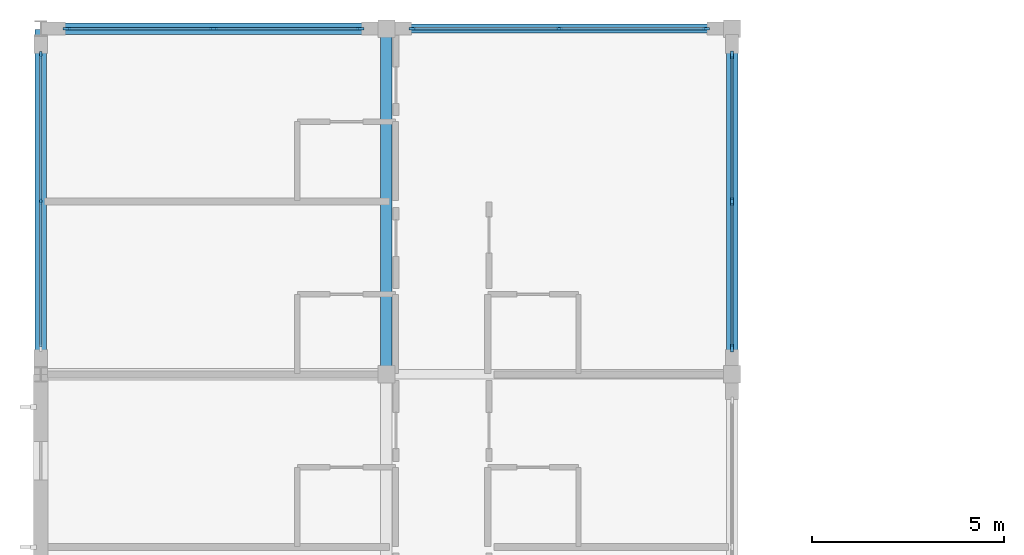
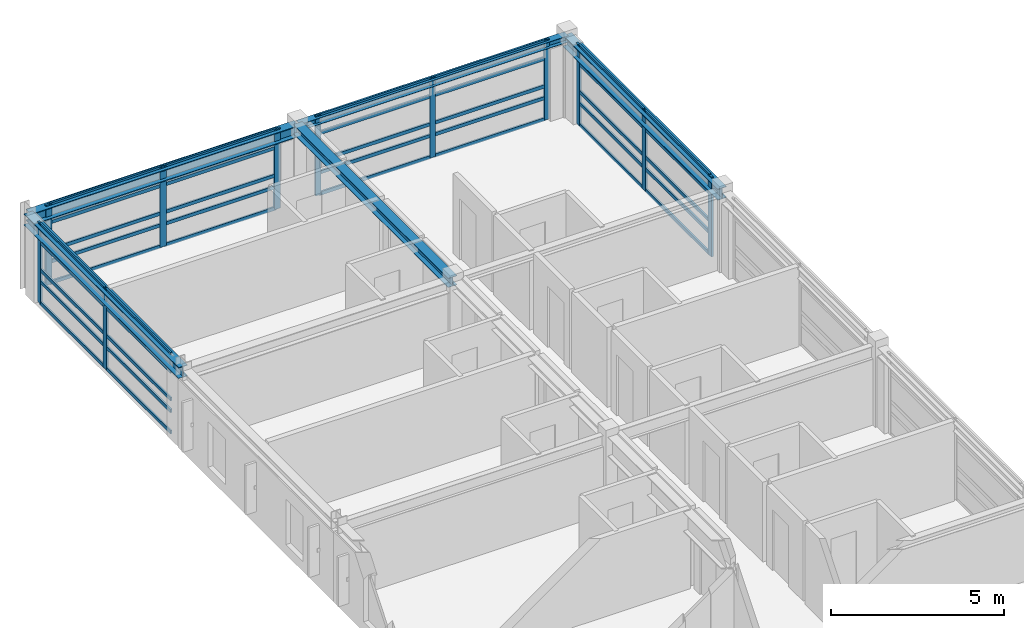
# One storey, part 7 of 24: 51 members, 5 beams, 4 elements without a shape of their own.
"""IFC4 building model written with IfcOpenShell, lengths in metres."""

from ifc_helpers import new_model, si_unit, direction, frame, origin, origin_2d, place, context, subcontext, project, spatial, rectangle, i_section, extrude, material, material_profile, profile_set, type_object, element, aggregate, save


model = new_model("IFC4")

# Units and contexts
model_context = context("Model", 3, precision=1e-05, world=origin(), true_north=direction((0.0, 1.0)))
body_context = subcontext(model_context, "Body", "Model", "MODEL_VIEW")
ifc_project = project(units=[si_unit("LENGTHUNIT", "METRE"), si_unit("AREAUNIT", "SQUARE_METRE"), si_unit("VOLUMEUNIT", "CUBIC_METRE"), si_unit("PLANEANGLEUNIT", "RADIAN"), si_unit("MASSUNIT", "GRAM", prefix="KILO")], contexts=[model_context])

# Site, building, storey
site_placement = place(None, origin())
site = spatial("IfcSite", under=ifc_project, at=site_placement, CompositionType="ELEMENT")
building_placement = place(site_placement, origin())
building = spatial("IfcBuilding", under=site, at=building_placement, Name="Palais des Congres Ocreval", CompositionType="ELEMENT")
storey_placement = place(building_placement, frame((0.0, 0.0, 17.60009765625)))
storey = spatial("IfcBuildingStorey", under=building, at=storey_placement, Name="L05", CompositionType="ELEMENT", Elevation=17.60009765625)

# Curtain wall, members
ifc_material_1 = material(Name="Anodized bronze aluminium and low-E glass", Category="glass")
curtain_wall_type = type_object("IfcCurtainWallType", Name="Unitised Curtain Wall 7900x2820", PredefinedType="USERDEFINED", material=ifc_material_1)
curtain_wall_1_placement = place(storey_placement, origin())
curtain_wall_1 = element("IfcCurtainWall", 1, at=curtain_wall_1_placement, inside=storey, type_object=curtain_wall_type, Name="Unitised Curtain Wall CW04 L05", ObjectType="UNITISED CURTAIN WALL", PredefinedType="USERDEFINED")
ifc_material_2 = material(Name="Anodized bronze aluminium", Category="aluminium")
ifc_material_profile_1 = material_profile(ifc_material_2, rectangle(XDim=0.06494140625, YDim=0.179931640625, at=origin_2d()), Name="ALU 65x180")
ifc_profile_set_1 = profile_set([ifc_material_profile_1], Name="Anodized bronze aluminium")
member_type_1 = type_object("IfcMemberType", Name="Curtain Wall Mullion ALU 65x180", PredefinedType="MULLION", material=ifc_profile_set_1)
member_1_placement = place(storey_placement, frame((0.0, 67.5, 0.0), z_axis=(0.0, 0.0, 1.0), x_axis=(-1.0, 0.0, 0.0)))
member_1 = element("IfcMember", 2, at=member_1_placement, type_object=member_type_1, Name="Curtain Wall Mullion ML03", PredefinedType="MULLION", context=body_context, shape_type="SweptSolid", body=[
    extrude(rectangle(XDim=0.06494140625, YDim=0.179931640625, at=origin_2d()), origin(), (0.0, 0.0, 1.0), 2.81982421875),
])
member_2_placement = place(storey_placement, frame((0.0, 71.3173828125, 0.0), z_axis=(0.0, 0.0, 1.0), x_axis=(-1.0, 0.0, 0.0)))
member_2 = element("IfcMember", 3, at=member_2_placement, type_object=member_type_1, Name="Curtain Wall Mullion ML03", PredefinedType="MULLION", context=body_context, shape_type="SweptSolid", body=[
    extrude(rectangle(XDim=0.06494140625, YDim=0.179931640625, at=origin_2d()), origin(), (0.0, 0.0, 1.0), 2.81982421875),
])

curtain_wall_2_placement = place(storey_placement, origin())
curtain_wall_2 = element("IfcCurtainWall", 4, at=curtain_wall_2_placement, inside=storey, type_object=curtain_wall_type, Name="Unitised Curtain Wall CW04 L05", ObjectType="UNITISED CURTAIN WALL", PredefinedType="USERDEFINED")
member_3_placement = place(storey_placement, frame((9.6826171875, 72.0, 0.0), z_axis=(0.0, 0.0, 1.0), x_axis=(0.0, 1.0, 0.0)))
member_3 = element("IfcMember", 5, at=member_3_placement, type_object=member_type_1, Name="Curtain Wall Mullion ML03", PredefinedType="MULLION", context=body_context, shape_type="SweptSolid", body=[
    extrude(rectangle(XDim=0.06494140625, YDim=0.179931640625, at=origin_2d()), origin(), (0.0, 0.0, 1.0), 2.81982421875),
])
member_4_placement = place(storey_placement, frame((13.5, 72.0, 0.0), z_axis=(0.0, 0.0, 1.0), x_axis=(0.0, 1.0, 0.0)))
member_4 = element("IfcMember", 6, at=member_4_placement, type_object=member_type_1, Name="Curtain Wall Mullion ML03", PredefinedType="MULLION", context=body_context, shape_type="SweptSolid", body=[
    extrude(rectangle(XDim=0.06494140625, YDim=0.179931640625, at=origin_2d()), origin(), (0.0, 0.0, 1.0), 2.81982421875),
])
member_5_placement = place(storey_placement, frame((17.3173828125, 72.0, 0.0), z_axis=(0.0, 0.0, 1.0), x_axis=(0.0, 1.0, 0.0)))
member_5 = element("IfcMember", 7, at=member_5_placement, type_object=member_type_1, Name="Curtain Wall Mullion ML03", PredefinedType="MULLION", context=body_context, shape_type="SweptSolid", body=[
    extrude(rectangle(XDim=0.06494140625, YDim=0.179931640625, at=origin_2d()), origin(), (0.0, 0.0, 1.0), 2.81982421875),
])

curtain_wall_3_placement = place(storey_placement, origin())
curtain_wall_3 = element("IfcCurtainWall", 8, at=curtain_wall_3_placement, inside=storey, type_object=curtain_wall_type, Name="Unitised Curtain Wall CW04 L05", ObjectType="UNITISED CURTAIN WALL", PredefinedType="USERDEFINED")
ifc_material_profile_2 = material_profile(ifc_material_2, rectangle(XDim=0.070068359375, YDim=0.2099609375, at=origin_2d()), Name="ALU 70x210")
ifc_profile_set_2 = profile_set([ifc_material_profile_2], Name="Anodized bronze aluminium")
member_type_2 = type_object("IfcMemberType", Name="Curtain Wall Mullion ALU 70x210", PredefinedType="MULLION", material=ifc_profile_set_2)
member_6_placement = place(storey_placement, frame((0.68505859375, 72.0, 0.0), z_axis=(0.0, 0.0, 1.0), x_axis=(0.0, 1.0, 0.0)))
member_6 = element("IfcMember", 9, at=member_6_placement, type_object=member_type_2, Name="Curtain Wall Mullion ML02", PredefinedType="MULLION", context=body_context, shape_type="SweptSolid", body=[
    extrude(rectangle(XDim=0.070068359375, YDim=0.2099609375, at=origin_2d()), origin(), (0.0, 0.0, 1.0), 2.81982421875),
])
member_7_placement = place(storey_placement, frame((4.5, 72.0, 0.0), z_axis=(0.0, 0.0, 1.0), x_axis=(0.0, 1.0, 0.0)))
member_7 = element("IfcMember", 10, at=member_7_placement, type_object=member_type_2, Name="Curtain Wall Mullion ML02", PredefinedType="MULLION", context=body_context, shape_type="SweptSolid", body=[
    extrude(rectangle(XDim=0.070068359375, YDim=0.2099609375, at=origin_2d()), origin(), (0.0, 0.0, 1.0), 2.81982421875),
])
member_8_placement = place(storey_placement, frame((8.31494140625, 72.0, 0.0), z_axis=(0.0, 0.0, 1.0), x_axis=(0.0, 1.0, 0.0)))
member_8 = element("IfcMember", 11, at=member_8_placement, type_object=member_type_2, Name="Curtain Wall Mullion ML02", PredefinedType="MULLION", context=body_context, shape_type="SweptSolid", body=[
    extrude(rectangle(XDim=0.070068359375, YDim=0.2099609375, at=origin_2d()), origin(), (0.0, 0.0, 1.0), 2.81982421875),
])

curtain_wall_4_placement = place(storey_placement, origin())
curtain_wall_4 = element("IfcCurtainWall", 12, at=curtain_wall_4_placement, inside=storey, type_object=curtain_wall_type, Name="Unitised Curtain Wall CW04 L05", ObjectType="UNITISED CURTAIN WALL", PredefinedType="USERDEFINED")
member_9_placement = place(storey_placement, frame((18.0, 71.31494140625, 0.0), z_axis=(0.0, 0.0, 1.0), x_axis=(1.0, 0.0, 0.0)))
member_9 = element("IfcMember", 13, at=member_9_placement, type_object=member_type_2, Name="Curtain Wall Mullion ML02", PredefinedType="MULLION", context=body_context, shape_type="SweptSolid", body=[
    extrude(rectangle(XDim=0.070068359375, YDim=0.2099609375, at=origin_2d()), origin(), (0.0, 0.0, 1.0), 2.81982421875),
])
member_10_placement = place(storey_placement, frame((18.0, 67.5, 0.0), z_axis=(0.0, 0.0, 1.0), x_axis=(1.0, 0.0, 0.0)))
member_10 = element("IfcMember", 14, at=member_10_placement, type_object=member_type_2, Name="Curtain Wall Mullion ML02", PredefinedType="MULLION", context=body_context, shape_type="SweptSolid", body=[
    extrude(rectangle(XDim=0.070068359375, YDim=0.2099609375, at=origin_2d()), origin(), (0.0, 0.0, 1.0), 2.81982421875),
])
member_11_placement = place(storey_placement, frame((18.0, 63.68505859375, 0.0), z_axis=(0.0, 0.0, 1.0), x_axis=(1.0, 0.0, 0.0)))
member_11 = element("IfcMember", 15, at=member_11_placement, type_object=member_type_2, Name="Curtain Wall Mullion ML02", PredefinedType="MULLION", context=body_context, shape_type="SweptSolid", body=[
    extrude(rectangle(XDim=0.070068359375, YDim=0.2099609375, at=origin_2d()), origin(), (0.0, 0.0, 1.0), 2.81982421875),
])

# Member
ifc_material_profile_3 = material_profile(ifc_material_2, rectangle(XDim=0.06005859375, YDim=0.1201171875, at=origin_2d()), Name="ALU 60x120")
ifc_profile_set_3 = profile_set([ifc_material_profile_3], Name="Anodized bronze aluminium")
member_type_3 = type_object("IfcMemberType", Name="Curtain Wall Transom ALU 60x120", PredefinedType="USERDEFINED", material=ifc_profile_set_3)
member_12_placement = place(storey_placement, frame((0.0, 63.715087890625, 0.02978515625), z_axis=(0.0, 1.0, 0.0), x_axis=(-1.0, 0.0, 0.0)))
member_12 = element("IfcMember", 16, at=member_12_placement, type_object=member_type_3, Name="Curtain Wall Transom TR02", ObjectType="TRANSOM", PredefinedType="USERDEFINED", context=body_context, shape_type="SweptSolid", body=[
    extrude(rectangle(XDim=0.06005859375, YDim=0.1201171875, at=origin_2d()), origin(), (0.0, 0.0, 1.0), 3.75244140625),
])

member_13_placement = place(storey_placement, frame((0.0, 63.715087890625, 0.77978515625), z_axis=(0.0, 1.0, 0.0), x_axis=(-1.0, 0.0, 0.0)))
member_13 = element("IfcMember", 17, at=member_13_placement, type_object=member_type_3, Name="Curtain Wall Transom TR02", ObjectType="TRANSOM", PredefinedType="USERDEFINED", context=body_context, shape_type="SweptSolid", body=[
    extrude(rectangle(XDim=0.06005859375, YDim=0.1201171875, at=origin_2d()), origin(), (0.0, 0.0, 1.0), 3.75244140625),
])

member_14_placement = place(storey_placement, frame((0.0, 63.715087890625, 1.193359375), z_axis=(0.0, 1.0, 0.0), x_axis=(-1.0, 0.0, 0.0)))
member_14 = element("IfcMember", 18, at=member_14_placement, type_object=member_type_3, Name="Curtain Wall Transom TR02", ObjectType="TRANSOM", PredefinedType="USERDEFINED", context=body_context, shape_type="SweptSolid", body=[
    extrude(rectangle(XDim=0.06005859375, YDim=0.1201171875, at=origin_2d()), origin(), (0.0, 0.0, 1.0), 3.75244140625),
])

member_15_placement = place(storey_placement, frame((0.0, 63.715087890625, 2.169921875), z_axis=(0.0, 1.0, 0.0), x_axis=(-1.0, 0.0, 0.0)))
member_15 = element("IfcMember", 19, at=member_15_placement, type_object=member_type_3, Name="Curtain Wall Transom TR02", ObjectType="TRANSOM", PredefinedType="USERDEFINED", context=body_context, shape_type="SweptSolid", body=[
    extrude(rectangle(XDim=0.06005859375, YDim=0.1201171875, at=origin_2d()), origin(), (0.0, 0.0, 1.0), 3.75244140625),
])

member_16_placement = place(storey_placement, frame((0.0, 63.715087890625, 2.789794921875), z_axis=(0.0, 1.0, 0.0), x_axis=(-1.0, 0.0, 0.0)))
member_16 = element("IfcMember", 20, at=member_16_placement, type_object=member_type_3, Name="Curtain Wall Transom TR02", ObjectType="TRANSOM", PredefinedType="USERDEFINED", context=body_context, shape_type="SweptSolid", body=[
    extrude(rectangle(XDim=0.06005859375, YDim=0.1201171875, at=origin_2d()), origin(), (0.0, 0.0, 1.0), 3.75244140625),
])

member_17_placement = place(storey_placement, frame((0.0, 67.532470703125, 0.02978515625), z_axis=(0.0, 1.0, 0.0), x_axis=(-1.0, 0.0, 0.0)))
member_17 = element("IfcMember", 21, at=member_17_placement, type_object=member_type_3, Name="Curtain Wall Transom TR02", ObjectType="TRANSOM", PredefinedType="USERDEFINED", context=body_context, shape_type="SweptSolid", body=[
    extrude(rectangle(XDim=0.06005859375, YDim=0.1201171875, at=origin_2d()), origin(), (0.0, 0.0, 1.0), 3.75244140625),
])

member_18_placement = place(storey_placement, frame((0.0, 67.532470703125, 0.77978515625), z_axis=(0.0, 1.0, 0.0), x_axis=(-1.0, 0.0, 0.0)))
member_18 = element("IfcMember", 22, at=member_18_placement, type_object=member_type_3, Name="Curtain Wall Transom TR02", ObjectType="TRANSOM", PredefinedType="USERDEFINED", context=body_context, shape_type="SweptSolid", body=[
    extrude(rectangle(XDim=0.06005859375, YDim=0.1201171875, at=origin_2d()), origin(), (0.0, 0.0, 1.0), 3.75244140625),
])

member_19_placement = place(storey_placement, frame((0.0, 67.532470703125, 1.193359375), z_axis=(0.0, 1.0, 0.0), x_axis=(-1.0, 0.0, 0.0)))
member_19 = element("IfcMember", 23, at=member_19_placement, type_object=member_type_3, Name="Curtain Wall Transom TR02", ObjectType="TRANSOM", PredefinedType="USERDEFINED", context=body_context, shape_type="SweptSolid", body=[
    extrude(rectangle(XDim=0.06005859375, YDim=0.1201171875, at=origin_2d()), origin(), (0.0, 0.0, 1.0), 3.75244140625),
])

member_20_placement = place(storey_placement, frame((0.0, 67.532470703125, 2.169921875), z_axis=(0.0, 1.0, 0.0), x_axis=(-1.0, 0.0, 0.0)))
member_20 = element("IfcMember", 24, at=member_20_placement, type_object=member_type_3, Name="Curtain Wall Transom TR02", ObjectType="TRANSOM", PredefinedType="USERDEFINED", context=body_context, shape_type="SweptSolid", body=[
    extrude(rectangle(XDim=0.06005859375, YDim=0.1201171875, at=origin_2d()), origin(), (0.0, 0.0, 1.0), 3.75244140625),
])

member_21_placement = place(storey_placement, frame((0.0, 67.532470703125, 2.789794921875), z_axis=(0.0, 1.0, 0.0), x_axis=(-1.0, 0.0, 0.0)))
member_21 = element("IfcMember", 25, at=member_21_placement, type_object=member_type_3, Name="Curtain Wall Transom TR02", ObjectType="TRANSOM", PredefinedType="USERDEFINED", context=body_context, shape_type="SweptSolid", body=[
    extrude(rectangle(XDim=0.06005859375, YDim=0.1201171875, at=origin_2d()), origin(), (0.0, 0.0, 1.0), 3.75244140625),
])

aggregate(curtain_wall_1, [member_1, member_2, member_12, member_13, member_14, member_15, member_16, member_17, member_18, member_19, member_20, member_21])

member_22_placement = place(storey_placement, frame((0.719970703125, 72.0, 0.02978515625), z_axis=(1.0, 0.0, 0.0), x_axis=(0.0, 1.0, 0.0)))
member_22 = element("IfcMember", 26, at=member_22_placement, type_object=member_type_3, Name="Curtain Wall Transom TR02", ObjectType="TRANSOM", PredefinedType="USERDEFINED", context=body_context, shape_type="SweptSolid", body=[
    extrude(rectangle(XDim=0.06005859375, YDim=0.1201171875, at=origin_2d()), origin(), (0.0, 0.0, 1.0), 3.7451171875),
])

member_23_placement = place(storey_placement, frame((0.719970703125, 72.0, 0.77978515625), z_axis=(1.0, 0.0, 0.0), x_axis=(0.0, 1.0, 0.0)))
member_23 = element("IfcMember", 27, at=member_23_placement, type_object=member_type_3, Name="Curtain Wall Transom TR02", ObjectType="TRANSOM", PredefinedType="USERDEFINED", context=body_context, shape_type="SweptSolid", body=[
    extrude(rectangle(XDim=0.06005859375, YDim=0.1201171875, at=origin_2d()), origin(), (0.0, 0.0, 1.0), 3.7451171875),
])

member_24_placement = place(storey_placement, frame((0.719970703125, 72.0, 1.193359375), z_axis=(1.0, 0.0, 0.0), x_axis=(0.0, 1.0, 0.0)))
member_24 = element("IfcMember", 28, at=member_24_placement, type_object=member_type_3, Name="Curtain Wall Transom TR02", ObjectType="TRANSOM", PredefinedType="USERDEFINED", context=body_context, shape_type="SweptSolid", body=[
    extrude(rectangle(XDim=0.06005859375, YDim=0.1201171875, at=origin_2d()), origin(), (0.0, 0.0, 1.0), 3.7451171875),
])

member_25_placement = place(storey_placement, frame((0.719970703125, 72.0, 2.169921875), z_axis=(1.0, 0.0, 0.0), x_axis=(0.0, 1.0, 0.0)))
member_25 = element("IfcMember", 29, at=member_25_placement, type_object=member_type_3, Name="Curtain Wall Transom TR02", ObjectType="TRANSOM", PredefinedType="USERDEFINED", context=body_context, shape_type="SweptSolid", body=[
    extrude(rectangle(XDim=0.06005859375, YDim=0.1201171875, at=origin_2d()), origin(), (0.0, 0.0, 1.0), 3.7451171875),
])

member_26_placement = place(storey_placement, frame((0.719970703125, 72.0, 2.789794921875), z_axis=(1.0, 0.0, 0.0), x_axis=(0.0, 1.0, 0.0)))
member_26 = element("IfcMember", 30, at=member_26_placement, type_object=member_type_3, Name="Curtain Wall Transom TR02", ObjectType="TRANSOM", PredefinedType="USERDEFINED", context=body_context, shape_type="SweptSolid", body=[
    extrude(rectangle(XDim=0.06005859375, YDim=0.1201171875, at=origin_2d()), origin(), (0.0, 0.0, 1.0), 3.7451171875),
])

member_27_placement = place(storey_placement, frame((4.534912109375, 72.0, 0.02978515625), z_axis=(1.0, 0.0, 0.0), x_axis=(0.0, 1.0, 0.0)))
member_27 = element("IfcMember", 31, at=member_27_placement, type_object=member_type_3, Name="Curtain Wall Transom TR02", ObjectType="TRANSOM", PredefinedType="USERDEFINED", context=body_context, shape_type="SweptSolid", body=[
    extrude(rectangle(XDim=0.06005859375, YDim=0.1201171875, at=origin_2d()), origin(), (0.0, 0.0, 1.0), 3.7451171875),
])

member_28_placement = place(storey_placement, frame((4.534912109375, 72.0, 0.77978515625), z_axis=(1.0, 0.0, 0.0), x_axis=(0.0, 1.0, 0.0)))
member_28 = element("IfcMember", 32, at=member_28_placement, type_object=member_type_3, Name="Curtain Wall Transom TR02", ObjectType="TRANSOM", PredefinedType="USERDEFINED", context=body_context, shape_type="SweptSolid", body=[
    extrude(rectangle(XDim=0.06005859375, YDim=0.1201171875, at=origin_2d()), origin(), (0.0, 0.0, 1.0), 3.7451171875),
])

member_29_placement = place(storey_placement, frame((4.534912109375, 72.0, 1.193359375), z_axis=(1.0, 0.0, 0.0), x_axis=(0.0, 1.0, 0.0)))
member_29 = element("IfcMember", 33, at=member_29_placement, type_object=member_type_3, Name="Curtain Wall Transom TR02", ObjectType="TRANSOM", PredefinedType="USERDEFINED", context=body_context, shape_type="SweptSolid", body=[
    extrude(rectangle(XDim=0.06005859375, YDim=0.1201171875, at=origin_2d()), origin(), (0.0, 0.0, 1.0), 3.7451171875),
])

member_30_placement = place(storey_placement, frame((4.534912109375, 72.0, 2.169921875), z_axis=(1.0, 0.0, 0.0), x_axis=(0.0, 1.0, 0.0)))
member_30 = element("IfcMember", 34, at=member_30_placement, type_object=member_type_3, Name="Curtain Wall Transom TR02", ObjectType="TRANSOM", PredefinedType="USERDEFINED", context=body_context, shape_type="SweptSolid", body=[
    extrude(rectangle(XDim=0.06005859375, YDim=0.1201171875, at=origin_2d()), origin(), (0.0, 0.0, 1.0), 3.7451171875),
])

member_31_placement = place(storey_placement, frame((4.534912109375, 72.0, 2.789794921875), z_axis=(1.0, 0.0, 0.0), x_axis=(0.0, 1.0, 0.0)))
member_31 = element("IfcMember", 35, at=member_31_placement, type_object=member_type_3, Name="Curtain Wall Transom TR02", ObjectType="TRANSOM", PredefinedType="USERDEFINED", context=body_context, shape_type="SweptSolid", body=[
    extrude(rectangle(XDim=0.06005859375, YDim=0.1201171875, at=origin_2d()), origin(), (0.0, 0.0, 1.0), 3.7451171875),
])

aggregate(curtain_wall_3, [member_6, member_7, member_8, member_22, member_23, member_24, member_25, member_26, member_27, member_28, member_29, member_30, member_31])

member_32_placement = place(storey_placement, frame((9.715087890625, 72.0, 0.02978515625), z_axis=(1.0, 0.0, 0.0), x_axis=(0.0, 1.0, 0.0)))
member_32 = element("IfcMember", 36, at=member_32_placement, type_object=member_type_3, Name="Curtain Wall Transom TR02", ObjectType="TRANSOM", PredefinedType="USERDEFINED", context=body_context, shape_type="SweptSolid", body=[
    extrude(rectangle(XDim=0.06005859375, YDim=0.1201171875, at=origin_2d()), origin(), (0.0, 0.0, 1.0), 3.75244140625),
])

member_33_placement = place(storey_placement, frame((9.715087890625, 72.0, 0.77978515625), z_axis=(1.0, 0.0, 0.0), x_axis=(0.0, 1.0, 0.0)))
member_33 = element("IfcMember", 37, at=member_33_placement, type_object=member_type_3, Name="Curtain Wall Transom TR02", ObjectType="TRANSOM", PredefinedType="USERDEFINED", context=body_context, shape_type="SweptSolid", body=[
    extrude(rectangle(XDim=0.06005859375, YDim=0.1201171875, at=origin_2d()), origin(), (0.0, 0.0, 1.0), 3.75244140625),
])

member_34_placement = place(storey_placement, frame((9.715087890625, 72.0, 1.193359375), z_axis=(1.0, 0.0, 0.0), x_axis=(0.0, 1.0, 0.0)))
member_34 = element("IfcMember", 38, at=member_34_placement, type_object=member_type_3, Name="Curtain Wall Transom TR02", ObjectType="TRANSOM", PredefinedType="USERDEFINED", context=body_context, shape_type="SweptSolid", body=[
    extrude(rectangle(XDim=0.06005859375, YDim=0.1201171875, at=origin_2d()), origin(), (0.0, 0.0, 1.0), 3.75244140625),
])

member_35_placement = place(storey_placement, frame((9.715087890625, 72.0, 2.169921875), z_axis=(1.0, 0.0, 0.0), x_axis=(0.0, 1.0, 0.0)))
member_35 = element("IfcMember", 39, at=member_35_placement, type_object=member_type_3, Name="Curtain Wall Transom TR02", ObjectType="TRANSOM", PredefinedType="USERDEFINED", context=body_context, shape_type="SweptSolid", body=[
    extrude(rectangle(XDim=0.06005859375, YDim=0.1201171875, at=origin_2d()), origin(), (0.0, 0.0, 1.0), 3.75244140625),
])

member_36_placement = place(storey_placement, frame((9.715087890625, 72.0, 2.789794921875), z_axis=(1.0, 0.0, 0.0), x_axis=(0.0, 1.0, 0.0)))
member_36 = element("IfcMember", 40, at=member_36_placement, type_object=member_type_3, Name="Curtain Wall Transom TR02", ObjectType="TRANSOM", PredefinedType="USERDEFINED", context=body_context, shape_type="SweptSolid", body=[
    extrude(rectangle(XDim=0.06005859375, YDim=0.1201171875, at=origin_2d()), origin(), (0.0, 0.0, 1.0), 3.75244140625),
])

member_37_placement = place(storey_placement, frame((13.532470703125, 72.0, 0.02978515625), z_axis=(1.0, 0.0, 0.0), x_axis=(0.0, 1.0, 0.0)))
member_37 = element("IfcMember", 41, at=member_37_placement, type_object=member_type_3, Name="Curtain Wall Transom TR02", ObjectType="TRANSOM", PredefinedType="USERDEFINED", context=body_context, shape_type="SweptSolid", body=[
    extrude(rectangle(XDim=0.06005859375, YDim=0.1201171875, at=origin_2d()), origin(), (0.0, 0.0, 1.0), 3.75244140625),
])

member_38_placement = place(storey_placement, frame((13.532470703125, 72.0, 0.77978515625), z_axis=(1.0, 0.0, 0.0), x_axis=(0.0, 1.0, 0.0)))
member_38 = element("IfcMember", 42, at=member_38_placement, type_object=member_type_3, Name="Curtain Wall Transom TR02", ObjectType="TRANSOM", PredefinedType="USERDEFINED", context=body_context, shape_type="SweptSolid", body=[
    extrude(rectangle(XDim=0.06005859375, YDim=0.1201171875, at=origin_2d()), origin(), (0.0, 0.0, 1.0), 3.75244140625),
])

member_39_placement = place(storey_placement, frame((13.532470703125, 72.0, 1.193359375), z_axis=(1.0, 0.0, 0.0), x_axis=(0.0, 1.0, 0.0)))
member_39 = element("IfcMember", 43, at=member_39_placement, type_object=member_type_3, Name="Curtain Wall Transom TR02", ObjectType="TRANSOM", PredefinedType="USERDEFINED", context=body_context, shape_type="SweptSolid", body=[
    extrude(rectangle(XDim=0.06005859375, YDim=0.1201171875, at=origin_2d()), origin(), (0.0, 0.0, 1.0), 3.75244140625),
])

member_40_placement = place(storey_placement, frame((13.532470703125, 72.0, 2.169921875), z_axis=(1.0, 0.0, 0.0), x_axis=(0.0, 1.0, 0.0)))
member_40 = element("IfcMember", 44, at=member_40_placement, type_object=member_type_3, Name="Curtain Wall Transom TR02", ObjectType="TRANSOM", PredefinedType="USERDEFINED", context=body_context, shape_type="SweptSolid", body=[
    extrude(rectangle(XDim=0.06005859375, YDim=0.1201171875, at=origin_2d()), origin(), (0.0, 0.0, 1.0), 3.75244140625),
])

member_41_placement = place(storey_placement, frame((13.532470703125, 72.0, 2.789794921875), z_axis=(1.0, 0.0, 0.0), x_axis=(0.0, 1.0, 0.0)))
member_41 = element("IfcMember", 45, at=member_41_placement, type_object=member_type_3, Name="Curtain Wall Transom TR02", ObjectType="TRANSOM", PredefinedType="USERDEFINED", context=body_context, shape_type="SweptSolid", body=[
    extrude(rectangle(XDim=0.06005859375, YDim=0.1201171875, at=origin_2d()), origin(), (0.0, 0.0, 1.0), 3.75244140625),
])

aggregate(curtain_wall_2, [member_3, member_4, member_5, member_32, member_33, member_34, member_35, member_36, member_37, member_38, member_39, member_40, member_41])

member_42_placement = place(storey_placement, frame((18.0, 71.280029296875, 0.02978515625), z_axis=(0.0, -1.0, 0.0), x_axis=(1.0, 0.0, 0.0)))
member_42 = element("IfcMember", 46, at=member_42_placement, type_object=member_type_3, Name="Curtain Wall Transom TR02", ObjectType="TRANSOM", PredefinedType="USERDEFINED", context=body_context, shape_type="SweptSolid", body=[
    extrude(rectangle(XDim=0.06005859375, YDim=0.1201171875, at=origin_2d()), origin(), (0.0, 0.0, 1.0), 3.7451171875),
])

member_43_placement = place(storey_placement, frame((18.0, 71.280029296875, 0.77978515625), z_axis=(0.0, -1.0, 0.0), x_axis=(1.0, 0.0, 0.0)))
member_43 = element("IfcMember", 47, at=member_43_placement, type_object=member_type_3, Name="Curtain Wall Transom TR02", ObjectType="TRANSOM", PredefinedType="USERDEFINED", context=body_context, shape_type="SweptSolid", body=[
    extrude(rectangle(XDim=0.06005859375, YDim=0.1201171875, at=origin_2d()), origin(), (0.0, 0.0, 1.0), 3.7451171875),
])

member_44_placement = place(storey_placement, frame((18.0, 71.280029296875, 1.193359375), z_axis=(0.0, -1.0, 0.0), x_axis=(1.0, 0.0, 0.0)))
member_44 = element("IfcMember", 48, at=member_44_placement, type_object=member_type_3, Name="Curtain Wall Transom TR02", ObjectType="TRANSOM", PredefinedType="USERDEFINED", context=body_context, shape_type="SweptSolid", body=[
    extrude(rectangle(XDim=0.06005859375, YDim=0.1201171875, at=origin_2d()), origin(), (0.0, 0.0, 1.0), 3.7451171875),
])

member_45_placement = place(storey_placement, frame((18.0, 71.280029296875, 2.169921875), z_axis=(0.0, -1.0, 0.0), x_axis=(1.0, 0.0, 0.0)))
member_45 = element("IfcMember", 49, at=member_45_placement, type_object=member_type_3, Name="Curtain Wall Transom TR02", ObjectType="TRANSOM", PredefinedType="USERDEFINED", context=body_context, shape_type="SweptSolid", body=[
    extrude(rectangle(XDim=0.06005859375, YDim=0.1201171875, at=origin_2d()), origin(), (0.0, 0.0, 1.0), 3.7451171875),
])

member_46_placement = place(storey_placement, frame((18.0, 71.280029296875, 2.789794921875), z_axis=(0.0, -1.0, 0.0), x_axis=(1.0, 0.0, 0.0)))
member_46 = element("IfcMember", 50, at=member_46_placement, type_object=member_type_3, Name="Curtain Wall Transom TR02", ObjectType="TRANSOM", PredefinedType="USERDEFINED", context=body_context, shape_type="SweptSolid", body=[
    extrude(rectangle(XDim=0.06005859375, YDim=0.1201171875, at=origin_2d()), origin(), (0.0, 0.0, 1.0), 3.7451171875),
])

member_47_placement = place(storey_placement, frame((18.0, 67.465087890625, 0.02978515625), z_axis=(0.0, -1.0, 0.0), x_axis=(1.0, 0.0, 0.0)))
member_47 = element("IfcMember", 51, at=member_47_placement, type_object=member_type_3, Name="Curtain Wall Transom TR02", ObjectType="TRANSOM", PredefinedType="USERDEFINED", context=body_context, shape_type="SweptSolid", body=[
    extrude(rectangle(XDim=0.06005859375, YDim=0.1201171875, at=origin_2d()), origin(), (0.0, 0.0, 1.0), 3.7451171875),
])

member_48_placement = place(storey_placement, frame((18.0, 67.465087890625, 0.77978515625), z_axis=(0.0, -1.0, 0.0), x_axis=(1.0, 0.0, 0.0)))
member_48 = element("IfcMember", 52, at=member_48_placement, type_object=member_type_3, Name="Curtain Wall Transom TR02", ObjectType="TRANSOM", PredefinedType="USERDEFINED", context=body_context, shape_type="SweptSolid", body=[
    extrude(rectangle(XDim=0.06005859375, YDim=0.1201171875, at=origin_2d()), origin(), (0.0, 0.0, 1.0), 3.7451171875),
])

member_49_placement = place(storey_placement, frame((18.0, 67.465087890625, 1.193359375), z_axis=(0.0, -1.0, 0.0), x_axis=(1.0, 0.0, 0.0)))
member_49 = element("IfcMember", 53, at=member_49_placement, type_object=member_type_3, Name="Curtain Wall Transom TR02", ObjectType="TRANSOM", PredefinedType="USERDEFINED", context=body_context, shape_type="SweptSolid", body=[
    extrude(rectangle(XDim=0.06005859375, YDim=0.1201171875, at=origin_2d()), origin(), (0.0, 0.0, 1.0), 3.7451171875),
])

member_50_placement = place(storey_placement, frame((18.0, 67.465087890625, 2.169921875), z_axis=(0.0, -1.0, 0.0), x_axis=(1.0, 0.0, 0.0)))
member_50 = element("IfcMember", 54, at=member_50_placement, type_object=member_type_3, Name="Curtain Wall Transom TR02", ObjectType="TRANSOM", PredefinedType="USERDEFINED", context=body_context, shape_type="SweptSolid", body=[
    extrude(rectangle(XDim=0.06005859375, YDim=0.1201171875, at=origin_2d()), origin(), (0.0, 0.0, 1.0), 3.7451171875),
])

member_51_placement = place(storey_placement, frame((18.0, 67.465087890625, 2.789794921875), z_axis=(0.0, -1.0, 0.0), x_axis=(1.0, 0.0, 0.0)))
member_51 = element("IfcMember", 55, at=member_51_placement, type_object=member_type_3, Name="Curtain Wall Transom TR02", ObjectType="TRANSOM", PredefinedType="USERDEFINED", context=body_context, shape_type="SweptSolid", body=[
    extrude(rectangle(XDim=0.06005859375, YDim=0.1201171875, at=origin_2d()), origin(), (0.0, 0.0, 1.0), 3.7451171875),
])

aggregate(curtain_wall_4, [member_9, member_10, member_11, member_42, member_43, member_44, member_45, member_46, member_47, member_48, member_49, member_50, member_51])

# Beams
ifc_material_3 = material(Name="Steel S355", Category="steel")
ifc_material_profile_4 = material_profile(ifc_material_3, i_section(OverallWidth=0.239990234375, OverallDepth=0.22998046875, WebThickness=0.007568359375, FlangeThickness=0.011962890625, at=origin_2d()), Name="HEA 240")
ifc_profile_set_4 = profile_set([ifc_material_profile_4], Name="Steel S355")
beam_type_1 = type_object("IfcBeamType", Name="Perimeter Spandrel HEA 240 Steel S355", PredefinedType="SPANDREL", material=ifc_profile_set_4)
beam_1_placement = place(storey_placement, frame((9.02001953125, 72.0, 2.664794921875), z_axis=(1.0, 0.0, 0.0), x_axis=(0.0, 1.0, 0.0)))
element("IfcBeam", 56, at=beam_1_placement, inside=storey, type_object=beam_type_1, Name="Beam SP01 L05", PredefinedType="SPANDREL", context=body_context, shape_type="SweptSolid", body=[
    extrude(i_section(OverallWidth=0.239990234375, OverallDepth=0.22998046875, WebThickness=0.007568359375, FlangeThickness=0.011962890625, at=origin_2d()), origin(), (0.0, 0.0, 1.0), 8.9599609375),
])
ifc_material_profile_5 = material_profile(ifc_material_3, i_section(OverallWidth=0.300048828125, OverallDepth=0.39990234375, WebThickness=0.013427734375, FlangeThickness=0.02392578125, at=origin_2d()), Name="HEB 400")
ifc_profile_set_5 = profile_set([ifc_material_profile_5], Name="Steel S355")
beam_type_2 = type_object("IfcBeamType", Name="Perimeter Spandrel HEB 400 Steel S355", PredefinedType="SPANDREL", material=ifc_profile_set_5)
for number, where, z_axis, x_axis, name in (
    (57, (0.0, 63.02001953125, 2.579833984375), (0.0, 1.0, 0.0), (-1.0, 0.0, 0.0), "Girder SP04 L05"),
    (58, (0.02001953125, 72.0, 2.579833984375), (1.0, 0.0, 0.0), (0.0, 1.0, 0.0), "Beam SP04 L05"),
    (59, (18.0, 63.02001953125, 2.579833984375), (0.0, 1.0, 0.0), (-1.0, 0.0, 0.0), "Girder SP04 L05"),
):
    element("IfcBeam", number, at=place(storey_placement, frame(where, z_axis=z_axis, x_axis=x_axis)), inside=storey, type_object=beam_type_2, Name=name, PredefinedType="SPANDREL", context=body_context, shape_type="SweptSolid", body=[
        extrude(i_section(OverallWidth=0.300048828125, OverallDepth=0.39990234375, WebThickness=0.013427734375, FlangeThickness=0.02392578125, at=origin_2d()), origin(), (0.0, 0.0, 1.0), 8.9599609375),
    ])
ifc_material_profile_6 = material_profile(ifc_material_3, i_section(OverallWidth=0.300048828125, OverallDepth=0.330078125, WebThickness=0.009521484375, FlangeThickness=0.0166015625, at=origin_2d()), Name="HEA 340")
ifc_profile_set_6 = profile_set([ifc_material_profile_6], Name="Steel S355")
beam_type_3 = type_object("IfcBeamType", Name="Primary Beam HEA 340 Steel S355", PredefinedType="BEAM", material=ifc_profile_set_6)
beam_2_placement = place(storey_placement, frame((9.0, 63.02001953125, 2.614990234375), z_axis=(0.0, 1.0, 0.0), x_axis=(-1.0, 0.0, 0.0)))
element("IfcBeam", 60, at=beam_2_placement, inside=storey, type_object=beam_type_3, Name="Girder B09 L05", PredefinedType="BEAM", context=body_context, shape_type="SweptSolid", body=[
    extrude(i_section(OverallWidth=0.300048828125, OverallDepth=0.330078125, WebThickness=0.009521484375, FlangeThickness=0.0166015625, at=origin_2d()), origin(), (0.0, 0.0, 1.0), 8.9599609375),
])

save(model, "model.ifc")
